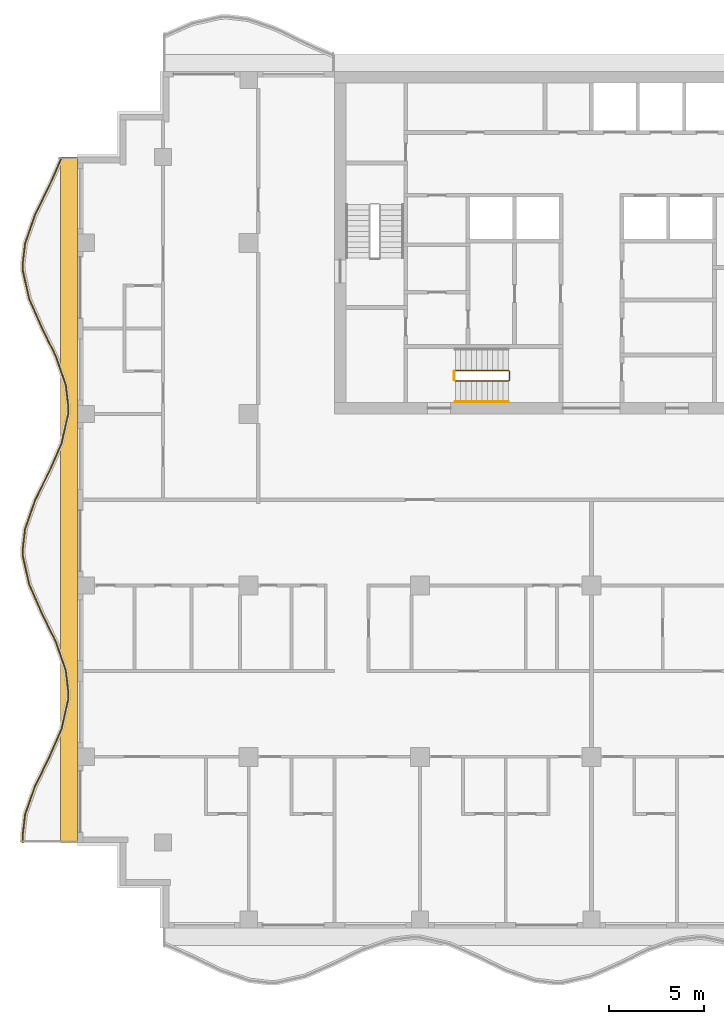
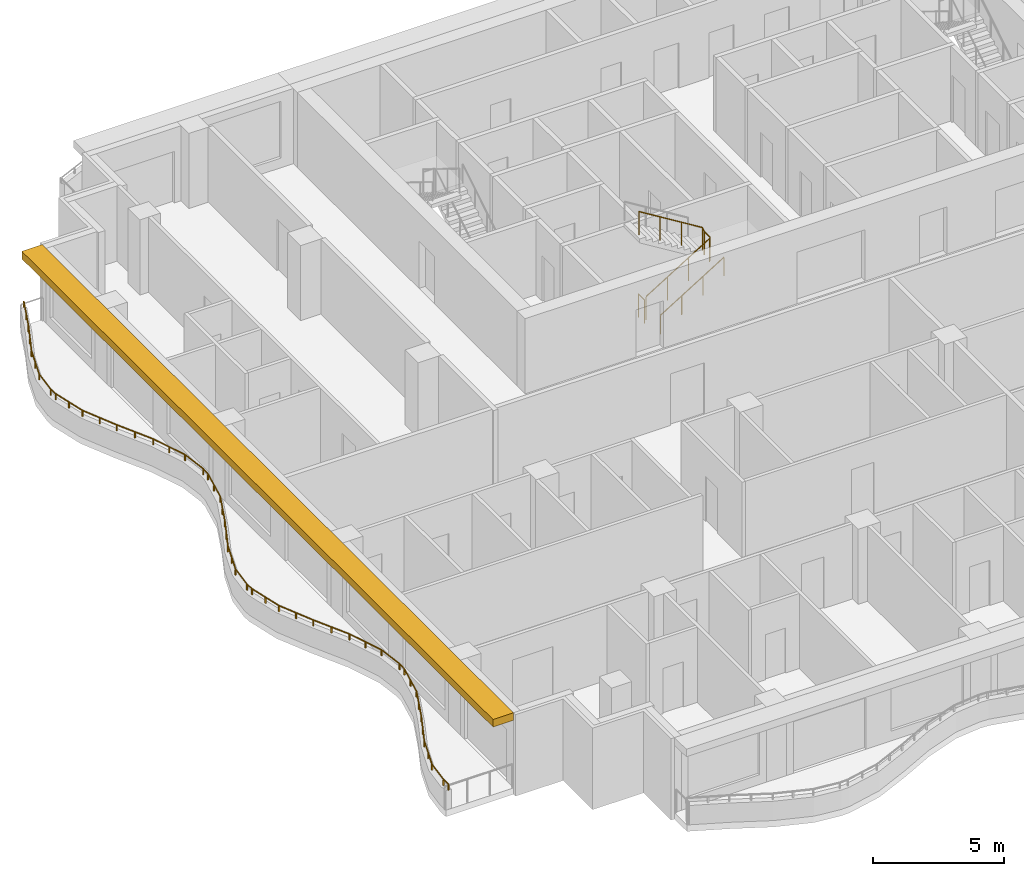
# One storey, part 9 of 11: 4 railings, 1 shading device.
"""IFC4 building model written with IfcOpenShell, lengths in metres."""

from ifc_helpers import new_model, si_unit, direction, frame, origin, origin_2d, place, context, subcontext, project, spatial, polyline, rectangle, circle, outline, extrude, material, layer, layer_set, type_object, element, save


model = new_model("IFC4")

# Units and contexts
model_context = context("Model", 3, precision=1e-05, world=origin(), true_north=direction((0.0, 1.0)))
body_context = subcontext(model_context, "Body", "Model", "MODEL_VIEW")
ifc_project = project(units=[si_unit("LENGTHUNIT", "METRE"), si_unit("AREAUNIT", "SQUARE_METRE"), si_unit("VOLUMEUNIT", "CUBIC_METRE"), si_unit("PLANEANGLEUNIT", "RADIAN"), si_unit("MASSUNIT", "GRAM", prefix="KILO")], contexts=[model_context])

# Site, building, storey
site_placement = place(None, origin())
site = spatial("IfcSite", under=ifc_project, at=site_placement, CompositionType="ELEMENT")
building_placement = place(site_placement, origin())
building = spatial("IfcBuilding", under=site, at=building_placement, Name="Orbiselva Terraces", CompositionType="ELEMENT")
storey_placement = place(building_placement, frame((0.0, 0.0, 238.8)))
storey = spatial("IfcBuildingStorey", under=building, at=storey_placement, Name="L60", CompositionType="ELEMENT", Elevation=238.8)

# Railings
ifc_material_1 = material(Name="Stainless steel", Category="steel")
railing_type_1 = type_object("IfcRailingType", Name="CORE-GUARD-1100", PredefinedType="GUARDRAIL", material=ifc_material_1)
railing_1_placement = place(storey_placement, frame((-7.15, 6.25, 0.172727)))
element("IfcRailing", 1, at=railing_1_placement, inside=storey, type_object=railing_type_1, Name="L60 S3 stair guard 1", PredefinedType="GUARDRAIL", context=body_context, shape_type="SweptSolid", body=[
    extrude(circle(Radius=0.024, at=origin_2d()), frame((0.0, 0.0, 1.081), z_axis=(0.851088519012, 0.0, 0.52502222125), x_axis=(0.0, 1.0, 0.0)), (0.0, 0.0, 1.0), 3.289905),
    extrude(circle(Radius=0.024, at=origin_2d()), frame((2.8, 0.0, 2.808273), z_axis=(0.707106781187, 0.707106781187, 0.0), x_axis=(-0.707106781187, 0.707106781187, 0.0)), (0.0, 0.0, 1.0), 0.070711),
    extrude(circle(Radius=0.024, at=origin_2d()), frame((2.85, 0.05, 2.808273), z_axis=(0.0, 1.0, 0.0), x_axis=(-1.0, 0.0, 0.0)), (0.0, 0.0, 1.0), 0.45),
    extrude(circle(Radius=0.024, at=origin_2d()), frame((2.85, 0.5, 2.808273), z_axis=(-0.267894925557, 0.267894925557, 0.925453736133), x_axis=(-0.707106781187, -0.707106781187, 0.0)), (0.0, 0.0, 1.0), 0.18664),
    extrude(circle(Radius=0.024, at=origin_2d()), frame((2.8, 0.55, 2.981), z_axis=(-0.851088519012, 0.0, 0.52502222125), x_axis=(0.0, -1.0, 0.0)), (0.0, 0.0, 1.0), 3.289905),
    extrude(circle(Radius=0.021, at=origin_2d()), origin(), (0.0, 0.0, 1.0), 1.057),
    extrude(circle(Radius=0.021, at=origin_2d()), frame((0.933333, 0.0, 0.575758)), (0.0, 0.0, 1.0), 1.057),
    extrude(circle(Radius=0.021, at=origin_2d()), frame((1.866667, 0.0, 1.151515)), (0.0, 0.0, 1.0), 1.057),
    extrude(circle(Radius=0.021, at=origin_2d()), frame((2.8, 0.0, 1.727273)), (0.0, 0.0, 1.0), 1.057),
    extrude(circle(Radius=0.021, at=origin_2d()), frame((2.85, 0.05, 1.727273)), (0.0, 0.0, 1.0), 1.057),
    extrude(circle(Radius=0.021, at=origin_2d()), frame((2.85, 0.5, 1.727273)), (0.0, 0.0, 1.0), 1.057),
    extrude(circle(Radius=0.021, at=origin_2d()), frame((2.8, 0.55, 1.9)), (0.0, 0.0, 1.0), 1.057),
    extrude(circle(Radius=0.021, at=origin_2d()), frame((1.866667, 0.55, 2.475758)), (0.0, 0.0, 1.0), 1.057),
    extrude(circle(Radius=0.021, at=origin_2d()), frame((0.933333, 0.55, 3.051515)), (0.0, 0.0, 1.0), 1.057),
    extrude(circle(Radius=0.021, at=origin_2d()), frame((0.0, 0.55, 3.627273)), (0.0, 0.0, 1.0), 1.057),
])
railing_2_placement = place(storey_placement, frame((-7.2, 6.3, 0.0)))
element("IfcRailing", 2, at=railing_2_placement, inside=storey, type_object=railing_type_1, Name="L60 S3 stair guard 2", PredefinedType="GUARDRAIL", context=body_context, shape_type="SweptSolid", body=[
    extrude(circle(Radius=0.024, at=origin_2d()), frame((0.0, 0.0, 1.081), z_axis=(0.0, 1.0, 0.0), x_axis=(-1.0, 0.0, 0.0)), (0.0, 0.0, 1.0), 0.45),
    extrude(circle(Radius=0.021, at=origin_2d()), origin(), (0.0, 0.0, 1.0), 1.057),
    extrude(circle(Radius=0.021, at=origin_2d()), frame((0.0, 0.45, 0.0)), (0.0, 0.0, 1.0), 1.057),
])
railing_type_2 = type_object("IfcRailingType", Name="CORE-HANDRAIL-900", PredefinedType="HANDRAIL", material=ifc_material_1)
railing_3_placement = place(storey_placement, frame((-7.15, 5.15, 0.172727)))
element("IfcRailing", 3, at=railing_3_placement, inside=storey, type_object=railing_type_2, Name="L60 S3 stair handrail 1", PredefinedType="HANDRAIL", context=body_context, shape_type="SweptSolid", body=[
    extrude(circle(Radius=0.024, at=origin_2d()), frame((0.0, 0.0, 0.876), z_axis=(0.851088519012, 0.0, 0.52502222125), x_axis=(0.0, 1.0, 0.0)), (0.0, 0.0, 1.0), 3.289905),
    extrude(circle(Radius=0.021, at=origin_2d()), origin(), (0.0, 0.0, 1.0), 0.852),
    extrude(circle(Radius=0.021, at=origin_2d()), frame((0.933333, 0.0, 0.575758)), (0.0, 0.0, 1.0), 0.852),
    extrude(circle(Radius=0.021, at=origin_2d()), frame((1.866667, 0.0, 1.151515)), (0.0, 0.0, 1.0), 0.852),
    extrude(circle(Radius=0.021, at=origin_2d()), frame((2.8, 0.0, 1.727273)), (0.0, 0.0, 1.0), 0.852),
])
ifc_material_2 = material(Name="Bonded two-ply safety glass balustrade, stainless steel posts", Category="steel")
railing_type_3 = type_object("IfcRailingType", Name="ENV-BALUSTRADE-1200", PredefinedType="BALUSTRADE", material=ifc_material_2)
railing_4_placement = place(storey_placement, frame((-27.83708, 17.949606, 0.9)))
element("IfcRailing", 4, at=railing_4_placement, inside=storey, type_object=railing_type_3, Name="Balcony balustrade L60 W", PredefinedType="BALUSTRADE", context=body_context, shape_type="SweptSolid", body=[
    extrude(outline(polyline([(0.028868, 0.0), (0.014434, 0.025), (-0.014434, 0.025), (-0.028868, 0.0), (-0.014434, -0.025), (0.014434, -0.025), (0.028868, 0.0)])), frame((0.0, 0.0, 0.275), z_axis=(-0.403151175476, -0.915133394491, 0.0), x_axis=(0.915133394491, -0.403151175476, 0.0)), (0.0, 0.0, 1.0), 1.641563),
    extrude(outline(polyline([(0.028868, 0.0), (0.014434, 0.025), (-0.014434, 0.025), (-0.028868, 0.0), (-0.014434, -0.025), (0.014434, -0.025), (0.028868, 0.0)])), frame((-0.661798, -1.502249, 0.275), z_axis=(-0.438811978768, -0.89857890432, 0.0), x_axis=(0.89857890432, -0.438811978768, 0.0)), (0.0, 0.0, 1.0), 1.66438),
    extrude(outline(polyline([(0.028868, 0.0), (0.014434, 0.025), (-0.014434, 0.025), (-0.028868, 0.0), (-0.014434, -0.025), (0.014434, -0.025), (0.028868, 0.0)])), frame((-1.392148, -2.997826, 0.275), z_axis=(-0.330024754707, -0.943972277814, 0.0), x_axis=(0.943972277814, -0.330024754707, 0.0)), (0.0, 0.0, 1.0), 1.567807),
    extrude(outline(polyline([(0.028868, 0.0), (0.014434, 0.025), (-0.014434, 0.025), (-0.028868, 0.0), (-0.014434, -0.025), (0.014434, -0.025), (0.028868, 0.0)])), frame((-1.909563, -4.477792, 0.275), z_axis=(-0.115481264762, -0.993309658409, 0.0), x_axis=(0.993309658409, -0.115481264762, 0.0)), (0.0, 0.0, 1.0), 1.10902),
    extrude(outline(polyline([(0.028868, 0.0), (0.014434, 0.025), (-0.014434, 0.025), (-0.028868, 0.0), (-0.014434, -0.025), (0.014434, -0.025), (0.028868, 0.0)])), frame((-2.037634, -5.579392, 0.275), z_axis=(0.039364150694, -0.999224931454, 0.0), x_axis=(0.999224931454, 0.039364150694, 0.0)), (0.0, 0.0, 1.0), 0.354206),
    extrude(outline(polyline([(0.028868, 0.0), (0.014434, 0.025), (-0.014434, 0.025), (-0.028868, 0.0), (-0.014434, -0.025), (0.014434, -0.025), (0.028868, 0.0)])), frame((-2.023691, -5.933323, 0.275), z_axis=(0.219015740235, -0.975721325753, 0.0), x_axis=(0.975721325753, 0.219015740235, 0.0)), (0.0, 0.0, 1.0), 1.513782),
    extrude(outline(polyline([(0.028868, 0.0), (0.014434, 0.025), (-0.014434, 0.025), (-0.028868, 0.0), (-0.014434, -0.025), (0.014434, -0.025), (0.028868, 0.0)])), frame((-1.692149, -7.410352, 0.275), z_axis=(0.403151245402, -0.915133363686, 0.0), x_axis=(0.915133363686, 0.403151245402, 0.0)), (0.0, 0.0, 1.0), 1.624475),
    extrude(outline(polyline([(0.028868, 0.0), (0.014434, 0.025), (-0.014434, 0.025), (-0.028868, 0.0), (-0.014434, -0.025), (0.014434, -0.025), (0.028868, 0.0)])), frame((-1.03724, -8.896963, 0.275), z_axis=(0.438812048596, -0.898578870221, 0.0), x_axis=(0.898578870221, 0.438812048596, 0.0)), (0.0, 0.0, 1.0), 1.674225),
    extrude(outline(polyline([(0.028868, 0.0), (0.014434, 0.025), (-0.014434, 0.025), (-0.028868, 0.0), (-0.014434, -0.025), (0.014434, -0.025), (0.028868, 0.0)])), frame((-0.30257, -10.401386, 0.275), z_axis=(0.330024597479, -0.943972332783, 0.0), x_axis=(0.943972332783, 0.330024597479, 0.0)), (0.0, 0.0, 1.0), 1.610253),
    extrude(outline(polyline([(0.028868, 0.0), (0.014434, 0.025), (-0.014434, 0.025), (-0.028868, 0.0), (-0.014434, -0.025), (0.014434, -0.025), (0.028868, 0.0)])), frame((0.228853, -11.92142, 0.275), z_axis=(0.115482182324, -0.993309551734, 0.0), x_axis=(0.993309551734, 0.115482182324, 0.0)), (0.0, 0.0, 1.0), 1.156135),
    extrude(outline(polyline([(0.028868, 0.0), (0.014434, 0.025), (-0.014434, 0.025), (-0.028868, 0.0), (-0.014434, -0.025), (0.014434, -0.025), (0.028868, 0.0)])), frame((0.362366, -13.06982, 0.275), z_axis=(-0.03936915532, -0.999224734286, 0.0), x_axis=(0.999224734286, -0.03936915532, 0.0)), (0.0, 0.0, 1.0), 0.396376),
    extrude(outline(polyline([(0.028868, 0.0), (0.014434, 0.025), (-0.014434, 0.025), (-0.028868, 0.0), (-0.014434, -0.025), (0.014434, -0.025), (0.028868, 0.0)])), frame((0.346761, -13.465889, 0.275), z_axis=(-0.219015500924, -0.97572137947, 0.0), x_axis=(0.97572137947, -0.219015500924, 0.0)), (0.0, 0.0, 1.0), 1.560867),
    extrude(outline(polyline([(0.028868, 0.0), (0.014434, 0.025), (-0.014434, 0.025), (-0.028868, 0.0), (-0.014434, -0.025), (0.014434, -0.025), (0.028868, 0.0)])), frame((0.004907, -14.98886, 0.275), z_axis=(-0.403150874148, -0.915133527237, 0.0), x_axis=(0.915133527237, -0.403150874148, 0.0)), (0.0, 0.0, 1.0), 1.653736),
    extrude(outline(polyline([(0.028868, 0.0), (0.014434, 0.025), (-0.014434, 0.025), (-0.028868, 0.0), (-0.014434, -0.025), (0.014434, -0.025), (0.028868, 0.0)])), frame((-0.661798, -16.502249, 0.275), z_axis=(-0.438811978768, -0.89857890432, 0.0), x_axis=(0.89857890432, -0.438811978768, 0.0)), (0.0, 0.0, 1.0), 1.66438),
    extrude(outline(polyline([(0.028868, 0.0), (0.014434, 0.025), (-0.014434, 0.025), (-0.028868, 0.0), (-0.014434, -0.025), (0.014434, -0.025), (0.028868, 0.0)])), frame((-1.392148, -17.997826, 0.275), z_axis=(-0.330024754707, -0.943972277814, 0.0), x_axis=(0.943972277814, -0.330024754707, 0.0)), (0.0, 0.0, 1.0), 1.567807),
    extrude(outline(polyline([(0.028868, 0.0), (0.014434, 0.025), (-0.014434, 0.025), (-0.028868, 0.0), (-0.014434, -0.025), (0.014434, -0.025), (0.028868, 0.0)])), frame((-1.909563, -19.477792, 0.275), z_axis=(-0.115481264762, -0.993309658409, 0.0), x_axis=(0.993309658409, -0.115481264762, 0.0)), (0.0, 0.0, 1.0), 1.10902),
    extrude(outline(polyline([(0.028868, 0.0), (0.014434, 0.025), (-0.014434, 0.025), (-0.028868, 0.0), (-0.014434, -0.025), (0.014434, -0.025), (0.028868, 0.0)])), frame((-2.037634, -20.579392, 0.275), z_axis=(0.039364150694, -0.999224931454, 0.0), x_axis=(0.999224931454, 0.039364150694, 0.0)), (0.0, 0.0, 1.0), 0.354206),
    extrude(outline(polyline([(0.028868, 0.0), (0.014434, 0.025), (-0.014434, 0.025), (-0.028868, 0.0), (-0.014434, -0.025), (0.014434, -0.025), (0.028868, 0.0)])), frame((-2.023691, -20.933323, 0.275), z_axis=(0.219015740235, -0.975721325753, 0.0), x_axis=(0.975721325753, 0.219015740235, 0.0)), (0.0, 0.0, 1.0), 1.513782),
    extrude(outline(polyline([(0.028868, 0.0), (0.014434, 0.025), (-0.014434, 0.025), (-0.028868, 0.0), (-0.014434, -0.025), (0.014434, -0.025), (0.028868, 0.0)])), frame((-1.692149, -22.410352, 0.275), z_axis=(0.403151245402, -0.915133363686, 0.0), x_axis=(0.915133363686, 0.403151245402, 0.0)), (0.0, 0.0, 1.0), 1.624475),
    extrude(outline(polyline([(0.028868, 0.0), (0.014434, 0.025), (-0.014434, 0.025), (-0.028868, 0.0), (-0.014434, -0.025), (0.014434, -0.025), (0.028868, 0.0)])), frame((-1.03724, -23.896963, 0.275), z_axis=(0.438812048596, -0.898578870221, 0.0), x_axis=(0.898578870221, 0.438812048596, 0.0)), (0.0, 0.0, 1.0), 1.674225),
    extrude(outline(polyline([(0.028868, 0.0), (0.014434, 0.025), (-0.014434, 0.025), (-0.028868, 0.0), (-0.014434, -0.025), (0.014434, -0.025), (0.028868, 0.0)])), frame((-0.30257, -25.401386, 0.275), z_axis=(0.330024597479, -0.943972332783, 0.0), x_axis=(0.943972332783, 0.330024597479, 0.0)), (0.0, 0.0, 1.0), 1.610253),
    extrude(outline(polyline([(0.028868, 0.0), (0.014434, 0.025), (-0.014434, 0.025), (-0.028868, 0.0), (-0.014434, -0.025), (0.014434, -0.025), (0.028868, 0.0)])), frame((0.228853, -26.92142, 0.275), z_axis=(0.115482182324, -0.993309551734, 0.0), x_axis=(0.993309551734, 0.115482182324, 0.0)), (0.0, 0.0, 1.0), 1.156135),
    extrude(outline(polyline([(0.028868, 0.0), (0.014434, 0.025), (-0.014434, 0.025), (-0.028868, 0.0), (-0.014434, -0.025), (0.014434, -0.025), (0.028868, 0.0)])), frame((0.362366, -28.06982, 0.275), z_axis=(-0.03936915532, -0.999224734286, 0.0), x_axis=(0.999224734286, -0.03936915532, 0.0)), (0.0, 0.0, 1.0), 0.396376),
    extrude(outline(polyline([(0.028868, 0.0), (0.014434, 0.025), (-0.014434, 0.025), (-0.028868, 0.0), (-0.014434, -0.025), (0.014434, -0.025), (0.028868, 0.0)])), frame((0.346761, -28.465889, 0.275), z_axis=(-0.219015500924, -0.97572137947, 0.0), x_axis=(0.97572137947, -0.219015500924, 0.0)), (0.0, 0.0, 1.0), 1.560867),
    extrude(outline(polyline([(0.028868, 0.0), (0.014434, 0.025), (-0.014434, 0.025), (-0.028868, 0.0), (-0.014434, -0.025), (0.014434, -0.025), (0.028868, 0.0)])), frame((0.004907, -29.98886, 0.275), z_axis=(-0.403150874148, -0.915133527237, 0.0), x_axis=(0.915133527237, -0.403150874148, 0.0)), (0.0, 0.0, 1.0), 1.653736),
    extrude(outline(polyline([(0.028868, 0.0), (0.014434, 0.025), (-0.014434, 0.025), (-0.028868, 0.0), (-0.014434, -0.025), (0.014434, -0.025), (0.028868, 0.0)])), frame((-0.661798, -31.502249, 0.275), z_axis=(-0.438811978768, -0.89857890432, 0.0), x_axis=(0.89857890432, -0.438811978768, 0.0)), (0.0, 0.0, 1.0), 1.66438),
    extrude(outline(polyline([(0.028868, 0.0), (0.014434, 0.025), (-0.014434, 0.025), (-0.028868, 0.0), (-0.014434, -0.025), (0.014434, -0.025), (0.028868, 0.0)])), frame((-1.392148, -32.997826, 0.275), z_axis=(-0.330024754707, -0.943972277814, 0.0), x_axis=(0.943972277814, -0.330024754707, 0.0)), (0.0, 0.0, 1.0), 1.567807),
    extrude(outline(polyline([(0.028868, 0.0), (0.014434, 0.025), (-0.014434, 0.025), (-0.028868, 0.0), (-0.014434, -0.025), (0.014434, -0.025), (0.028868, 0.0)])), frame((-1.909563, -34.477792, 0.275), z_axis=(-0.115481264762, -0.993309658409, 0.0), x_axis=(0.993309658409, -0.115481264762, 0.0)), (0.0, 0.0, 1.0), 1.10902),
    extrude(outline(polyline([(0.028868, 0.0), (0.014434, 0.025), (-0.014434, 0.025), (-0.028868, 0.0), (-0.014434, -0.025), (0.014434, -0.025), (0.028868, 0.0)])), frame((-2.037634, -35.579392, 0.275), z_axis=(0.039365236599, -0.999224888675, 0.0), x_axis=(0.999224888675, 0.039365236599, 0.0)), (0.0, 0.0, 1.0), 0.365576),
    extrude(rectangle(XDim=0.05, YDim=0.05, at=origin_2d()), origin(), (0.0, 0.0, 1.0), 0.25),
    extrude(rectangle(XDim=0.05, YDim=0.05, at=origin_2d()), frame((-0.330899, -0.751124, 0.0)), (0.0, 0.0, 1.0), 0.25),
    extrude(rectangle(XDim=0.05, YDim=0.05, at=origin_2d()), frame((-0.661798, -1.502249, 0.0)), (0.0, 0.0, 1.0), 0.25),
    extrude(rectangle(XDim=0.05, YDim=0.05, at=origin_2d()), frame((-1.026973, -2.250037, 0.0)), (0.0, 0.0, 1.0), 0.25),
    extrude(rectangle(XDim=0.05, YDim=0.05, at=origin_2d()), frame((-1.392148, -2.997826, 0.0)), (0.0, 0.0, 1.0), 0.25),
    extrude(rectangle(XDim=0.05, YDim=0.05, at=origin_2d()), frame((-1.650855, -3.737809, 0.0)), (0.0, 0.0, 1.0), 0.25),
    extrude(rectangle(XDim=0.05, YDim=0.05, at=origin_2d()), frame((-1.909563, -4.477792, 0.0)), (0.0, 0.0, 1.0), 0.25),
    extrude(rectangle(XDim=0.05, YDim=0.05, at=origin_2d()), frame((-2.037634, -5.579392, 0.0)), (0.0, 0.0, 1.0), 0.25),
    extrude(rectangle(XDim=0.05, YDim=0.05, at=origin_2d()), frame((-2.023691, -5.933323, 0.0)), (0.0, 0.0, 1.0), 0.25),
    extrude(rectangle(XDim=0.05, YDim=0.05, at=origin_2d()), frame((-1.85792, -6.671838, 0.0)), (0.0, 0.0, 1.0), 0.25),
    extrude(rectangle(XDim=0.05, YDim=0.05, at=origin_2d()), frame((-1.692149, -7.410352, 0.0)), (0.0, 0.0, 1.0), 0.25),
    extrude(rectangle(XDim=0.05, YDim=0.05, at=origin_2d()), frame((-1.364695, -8.153658, 0.0)), (0.0, 0.0, 1.0), 0.25),
    extrude(rectangle(XDim=0.05, YDim=0.05, at=origin_2d()), frame((-1.03724, -8.896963, 0.0)), (0.0, 0.0, 1.0), 0.25),
    extrude(rectangle(XDim=0.05, YDim=0.05, at=origin_2d()), frame((-0.669905, -9.649174, 0.0)), (0.0, 0.0, 1.0), 0.25),
    extrude(rectangle(XDim=0.05, YDim=0.05, at=origin_2d()), frame((-0.30257, -10.401386, 0.0)), (0.0, 0.0, 1.0), 0.25),
    extrude(rectangle(XDim=0.05, YDim=0.05, at=origin_2d()), frame((-0.036858, -11.161403, 0.0)), (0.0, 0.0, 1.0), 0.25),
    extrude(rectangle(XDim=0.05, YDim=0.05, at=origin_2d()), frame((0.228853, -11.92142, 0.0)), (0.0, 0.0, 1.0), 0.25),
    extrude(rectangle(XDim=0.05, YDim=0.05, at=origin_2d()), frame((0.362366, -13.06982, 0.0)), (0.0, 0.0, 1.0), 0.25),
    extrude(rectangle(XDim=0.05, YDim=0.05, at=origin_2d()), frame((0.346761, -13.465889, 0.0)), (0.0, 0.0, 1.0), 0.25),
    extrude(rectangle(XDim=0.05, YDim=0.05, at=origin_2d()), frame((0.175834, -14.227374, 0.0)), (0.0, 0.0, 1.0), 0.25),
    extrude(rectangle(XDim=0.05, YDim=0.05, at=origin_2d()), frame((0.004907, -14.98886, 0.0)), (0.0, 0.0, 1.0), 0.25),
    extrude(rectangle(XDim=0.05, YDim=0.05, at=origin_2d()), frame((-0.328446, -15.745554, 0.0)), (0.0, 0.0, 1.0), 0.25),
    extrude(rectangle(XDim=0.05, YDim=0.05, at=origin_2d()), frame((-0.661798, -16.502249, 0.0)), (0.0, 0.0, 1.0), 0.25),
    extrude(rectangle(XDim=0.05, YDim=0.05, at=origin_2d()), frame((-1.026973, -17.250037, 0.0)), (0.0, 0.0, 1.0), 0.25),
    extrude(rectangle(XDim=0.05, YDim=0.05, at=origin_2d()), frame((-1.392148, -17.997826, 0.0)), (0.0, 0.0, 1.0), 0.25),
    extrude(rectangle(XDim=0.05, YDim=0.05, at=origin_2d()), frame((-1.650855, -18.737809, 0.0)), (0.0, 0.0, 1.0), 0.25),
    extrude(rectangle(XDim=0.05, YDim=0.05, at=origin_2d()), frame((-1.909563, -19.477792, 0.0)), (0.0, 0.0, 1.0), 0.25),
    extrude(rectangle(XDim=0.05, YDim=0.05, at=origin_2d()), frame((-2.037634, -20.579392, 0.0)), (0.0, 0.0, 1.0), 0.25),
    extrude(rectangle(XDim=0.05, YDim=0.05, at=origin_2d()), frame((-2.023691, -20.933323, 0.0)), (0.0, 0.0, 1.0), 0.25),
    extrude(rectangle(XDim=0.05, YDim=0.05, at=origin_2d()), frame((-1.85792, -21.671838, 0.0)), (0.0, 0.0, 1.0), 0.25),
    extrude(rectangle(XDim=0.05, YDim=0.05, at=origin_2d()), frame((-1.692149, -22.410352, 0.0)), (0.0, 0.0, 1.0), 0.25),
    extrude(rectangle(XDim=0.05, YDim=0.05, at=origin_2d()), frame((-1.364695, -23.153658, 0.0)), (0.0, 0.0, 1.0), 0.25),
    extrude(rectangle(XDim=0.05, YDim=0.05, at=origin_2d()), frame((-1.03724, -23.896963, 0.0)), (0.0, 0.0, 1.0), 0.25),
    extrude(rectangle(XDim=0.05, YDim=0.05, at=origin_2d()), frame((-0.669905, -24.649174, 0.0)), (0.0, 0.0, 1.0), 0.25),
    extrude(rectangle(XDim=0.05, YDim=0.05, at=origin_2d()), frame((-0.30257, -25.401386, 0.0)), (0.0, 0.0, 1.0), 0.25),
    extrude(rectangle(XDim=0.05, YDim=0.05, at=origin_2d()), frame((-0.036858, -26.161403, 0.0)), (0.0, 0.0, 1.0), 0.25),
    extrude(rectangle(XDim=0.05, YDim=0.05, at=origin_2d()), frame((0.228853, -26.92142, 0.0)), (0.0, 0.0, 1.0), 0.25),
    extrude(rectangle(XDim=0.05, YDim=0.05, at=origin_2d()), frame((0.362366, -28.06982, 0.0)), (0.0, 0.0, 1.0), 0.25),
    extrude(rectangle(XDim=0.05, YDim=0.05, at=origin_2d()), frame((0.346761, -28.465889, 0.0)), (0.0, 0.0, 1.0), 0.25),
    extrude(rectangle(XDim=0.05, YDim=0.05, at=origin_2d()), frame((0.175834, -29.227374, 0.0)), (0.0, 0.0, 1.0), 0.25),
    extrude(rectangle(XDim=0.05, YDim=0.05, at=origin_2d()), frame((0.004907, -29.98886, 0.0)), (0.0, 0.0, 1.0), 0.25),
    extrude(rectangle(XDim=0.05, YDim=0.05, at=origin_2d()), frame((-0.328446, -30.745554, 0.0)), (0.0, 0.0, 1.0), 0.25),
    extrude(rectangle(XDim=0.05, YDim=0.05, at=origin_2d()), frame((-0.661798, -31.502249, 0.0)), (0.0, 0.0, 1.0), 0.25),
    extrude(rectangle(XDim=0.05, YDim=0.05, at=origin_2d()), frame((-1.026973, -32.250038, 0.0)), (0.0, 0.0, 1.0), 0.25),
    extrude(rectangle(XDim=0.05, YDim=0.05, at=origin_2d()), frame((-1.392148, -32.997826, 0.0)), (0.0, 0.0, 1.0), 0.25),
    extrude(rectangle(XDim=0.05, YDim=0.05, at=origin_2d()), frame((-1.650855, -33.737809, 0.0)), (0.0, 0.0, 1.0), 0.25),
    extrude(rectangle(XDim=0.05, YDim=0.05, at=origin_2d()), frame((-1.909563, -34.477792, 0.0)), (0.0, 0.0, 1.0), 0.25),
    extrude(rectangle(XDim=0.05, YDim=0.05, at=origin_2d()), frame((-2.037634, -35.579392, 0.0)), (0.0, 0.0, 1.0), 0.25),
    extrude(rectangle(XDim=0.05, YDim=0.05, at=origin_2d()), frame((-2.023243, -35.944685, 0.0)), (0.0, 0.0, 1.0), 0.25),
])

# Shading device
ifc_material_3 = material(Name="Terracotta baguette sunshade", Category="masonry")
ifc_layer = layer(ifc_material_3, 0.35)
ifc_layer_set = layer_set([ifc_layer], Name="Terracotta baguette sunshade")
shading_device_type = type_object("IfcShadingDeviceType", Name="ENV-SUNSHADE-900x350", PredefinedType="USERDEFINED", material=ifc_layer_set)
shading_device_placement = place(storey_placement, frame((0.0, 0.0, 3.15)))
element("IfcShadingDevice", 5, at=shading_device_placement, inside=storey, type_object=shading_device_type, Name="Sunshade band L60 W", ObjectType="SUNSHADE", PredefinedType="USERDEFINED", context=body_context, shape_type="SweptSolid", body=[
    extrude(outline(polyline([(-27.9, 18.0), (-27.9, -18.0), (-27.0, -18.0), (-27.0, 18.0), (-27.9, 18.0)])), origin(), (0.0, 0.0, 1.0), 0.35),
])

save(model, "model.ifc")
